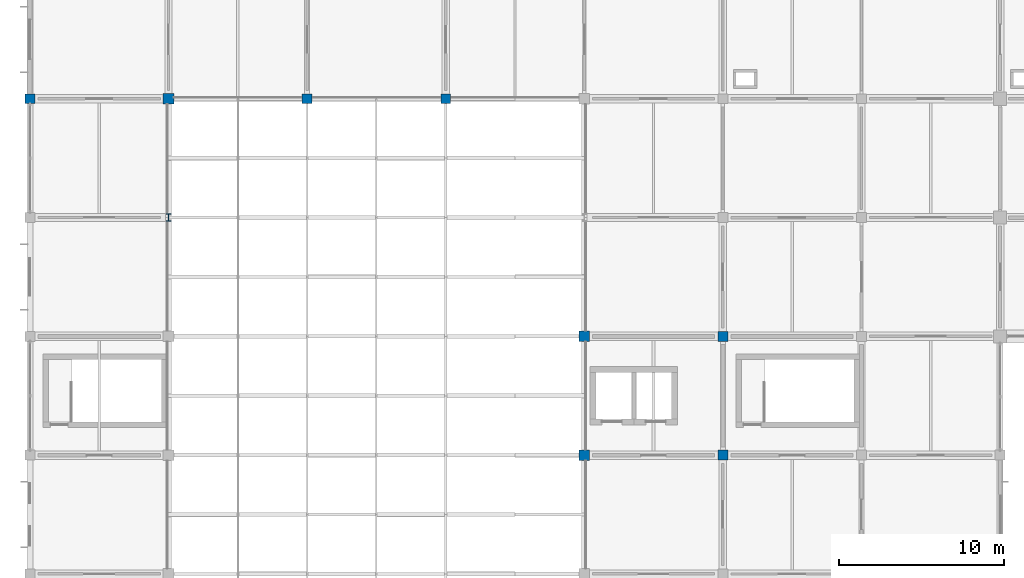
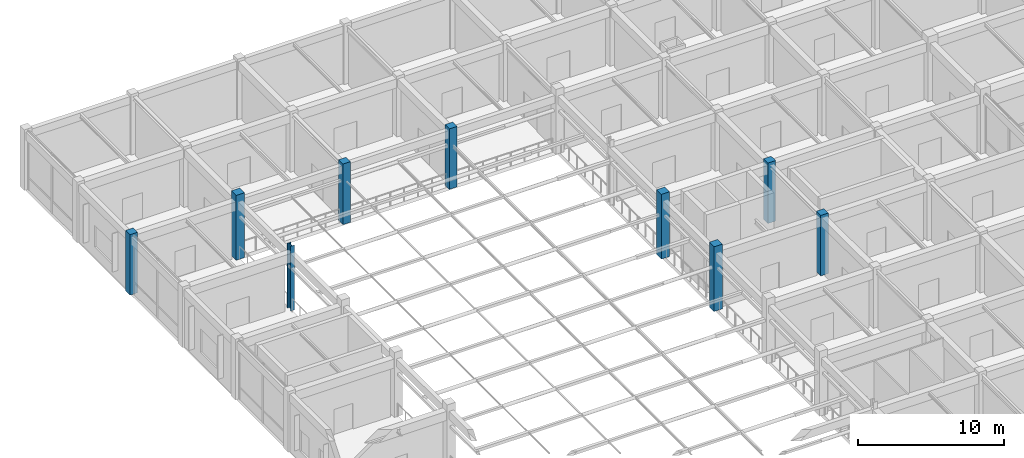
# One storey, part 3 of 38: 9 columns.
"""IFC4 building model written with IfcOpenShell, lengths in metres."""

from ifc_helpers import new_model, si_unit, derived_unit, direction, frame, origin, origin_2d, place, context, subcontext, project, spatial, rectangle, i_section, extrude, material, material_profile, profile_set, type_object, element, save


model = new_model("IFC4")

# Units and contexts
model_context = context("Model", 3, precision=1e-05, world=origin(), true_north=direction((0.0, 1.0)))
body_context = subcontext(model_context, "Body", "Model", "MODEL_VIEW")
ifc_project = project(units=[si_unit("LENGTHUNIT", "METRE"), si_unit("AREAUNIT", "SQUARE_METRE"), si_unit("VOLUMEUNIT", "CUBIC_METRE"), si_unit("PLANEANGLEUNIT", "RADIAN"), si_unit("MASSUNIT", "GRAM", prefix="KILO"), derived_unit("THERMALTRANSMITTANCEUNIT", [(si_unit("MASSUNIT", "GRAM", prefix="KILO"), 1), (si_unit("TIMEUNIT", "SECOND"), -3), (si_unit("THERMODYNAMICTEMPERATUREUNIT", "KELVIN"), -1)])], contexts=[model_context])

# Site, building, storey
site_placement = place(None, origin())
site = spatial("IfcSite", under=ifc_project, at=site_placement, CompositionType="ELEMENT")
building_placement = place(site_placement, origin())
building = spatial("IfcBuilding", under=site, at=building_placement, Name="Veldstrom Oceanarium and Marine Research Institute", CompositionType="ELEMENT")
storey_placement = place(building_placement, frame((0.0, 0.0, 16.800048828125)))
storey = spatial("IfcBuildingStorey", under=building, at=storey_placement, Name="L03", CompositionType="ELEMENT", Elevation=16.800048828125)

# Columns
ifc_material_1 = material(Name="Concrete C50/60", Category="concrete")
ifc_material_profile_1 = material_profile(ifc_material_1, rectangle(XDim=0.64990234375, YDim=0.64990234375, at=origin_2d()), Name="RC-COL-650x650")
ifc_profile_set_1 = profile_set([ifc_material_profile_1], Name="Concrete C50/60")
column_type_1 = type_object("IfcColumnType", Name="STR-COL-C07", PredefinedType="COLUMN", material=ifc_profile_set_1)
for number, where, z_axis, x_axis, name in (
    (1, (16.800048828125, 57.60009765625, 0.0), (0.0, 0.0, 1.0), (1.0, 0.0, 0.0), "Column C07 3/J L03"),
    (2, (42.0, 36.0, 0.0), (0.0, 0.0, 1.0), (1.0, 0.0, 0.0), "Column C07 6/F L03"),
    (3, (42.0, 43.199951171875, 0.0), (0.0, 0.0, 1.0), (1.0, 0.0, 0.0), "Column C07 6/G L03"),
):
    element("IfcColumn", number, at=place(storey_placement, frame(where, z_axis=z_axis, x_axis=x_axis)), inside=storey, type_object=column_type_1, Name=name, PredefinedType="COLUMN", context=body_context, shape_type="SweptSolid", body=[
        extrude(rectangle(XDim=0.64990234375, YDim=0.64990234375, at=origin_2d()), origin(), (0.0, 0.0, 1.0), 5.39990234375),
    ])
ifc_material_2 = material(Name="Concrete C50/60", Category="concrete")
ifc_material_profile_2 = material_profile(ifc_material_2, rectangle(XDim=0.60009765625, YDim=0.60009765625, at=origin_2d()), Name="RC-COL-600x600")
ifc_profile_set_2 = profile_set([ifc_material_profile_2], Name="Concrete C50/60")
column_type_2 = type_object("IfcColumnType", Name="STR-COL-C08", PredefinedType="COLUMN", material=ifc_profile_set_2)
for number, where, z_axis, x_axis, name in (
    (4, (8.39990234375, 57.60009765625, 0.0), (0.0, 0.0, 1.0), (1.0, 0.0, 0.0), "Column C08 2/J L03"),
    (5, (25.199951171875, 57.60009765625, 0.0), (0.0, 0.0, 1.0), (1.0, 0.0, 0.0), "Column C08 4/J L03"),
    (6, (33.60009765625, 57.60009765625, 0.0), (0.0, 0.0, 1.0), (1.0, 0.0, 0.0), "Column C08 5/J L03"),
    (7, (50.39990234375, 36.0, 0.0), (0.0, 0.0, 1.0), (1.0, 0.0, 0.0), "Column C08 7/F L03"),
    (8, (50.39990234375, 43.199951171875, 0.0), (0.0, 0.0, 1.0), (1.0, 0.0, 0.0), "Column C08 7/G L03"),
):
    element("IfcColumn", number, at=place(storey_placement, frame(where, z_axis=z_axis, x_axis=x_axis)), inside=storey, type_object=column_type_2, Name=name, PredefinedType="COLUMN", context=body_context, shape_type="SweptSolid", body=[
        extrude(rectangle(XDim=0.60009765625, YDim=0.60009765625, at=origin_2d()), origin(), (0.0, 0.0, 1.0), 5.050048828125),
    ])
ifc_material_3 = material(Name="Steel S355JR", Category="steel")
ifc_material_profile_3 = material_profile(ifc_material_3, i_section(OverallWidth=0.300048828125, OverallDepth=0.449951171875, WebThickness=0.013916015625, FlangeThickness=0.02587890625, FilletRadius=0.027099609375, at=origin_2d()), Name="HEB 450")
ifc_profile_set_3 = profile_set([ifc_material_profile_3], Name="Steel S355JR")
column_type_3 = type_object("IfcColumnType", Name="STR-COL-C18", PredefinedType="COLUMN", material=ifc_profile_set_3)
column_placement = place(storey_placement, frame((16.800048828125, 50.39990234375, 0.0), z_axis=(0.0, 0.0, 1.0), x_axis=(1.0, 0.0, 0.0)))
element("IfcColumn", 9, at=column_placement, inside=storey, type_object=column_type_3, Name="Column C18 3/H L03", PredefinedType="COLUMN", context=body_context, shape_type="SweptSolid", body=[
    extrude(i_section(OverallWidth=0.300048828125, OverallDepth=0.449951171875, WebThickness=0.013916015625, FlangeThickness=0.02587890625, FilletRadius=0.027099609375, at=origin_2d()), origin(), (0.0, 0.0, 1.0), 5.39990234375),
])

save(model, "model.ifc")
